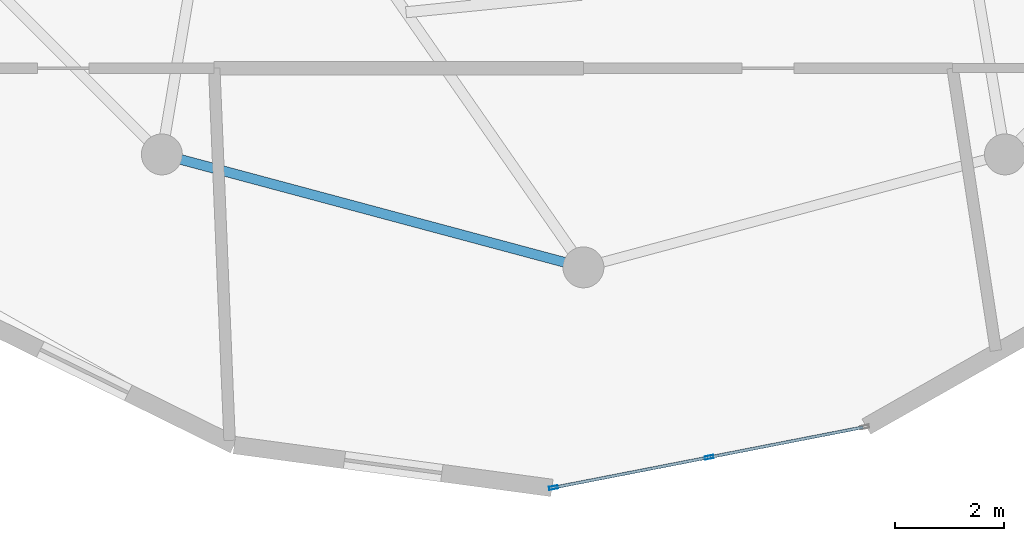
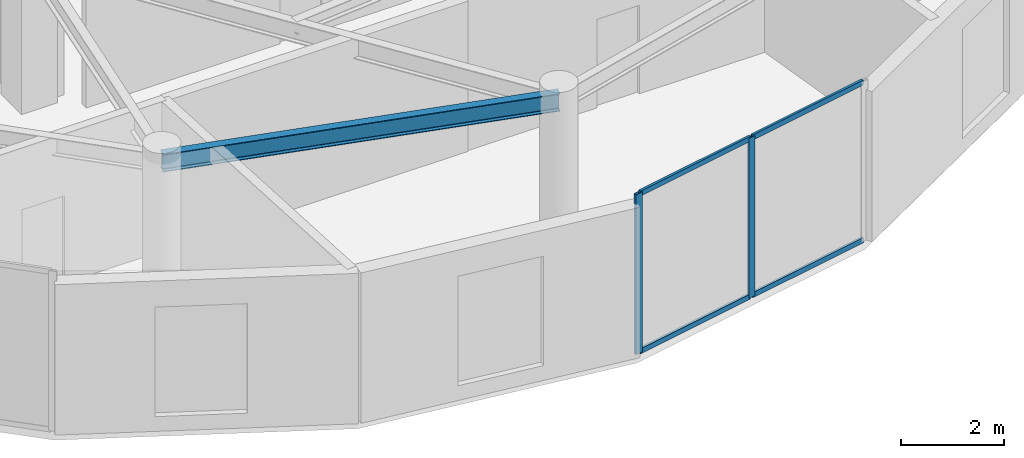
# One storey, part 4 of 18: 6 members, 1 beam, 1 element without a shape of its own.
"""IFC4 building model written with IfcOpenShell, lengths in metres."""

from ifc_helpers import new_model, si_unit, direction, frame, origin, origin_2d, place, context, subcontext, project, spatial, hollow_rectangle, i_section, extrude, source, transform, mapped, material, layer, layer_set, material_profile, profile_set, type_object, element, aggregate, save


model = new_model("IFC4")

# Units and contexts
model_context = context("Model", 3, precision=1e-05, world=origin(), true_north=direction((0.0, 1.0)))
body_context = subcontext(model_context, "Body", "Model", "MODEL_VIEW")
ifc_project = project(units=[si_unit("LENGTHUNIT", "METRE"), si_unit("AREAUNIT", "SQUARE_METRE"), si_unit("VOLUMEUNIT", "CUBIC_METRE"), si_unit("PLANEANGLEUNIT", "RADIAN"), si_unit("MASSUNIT", "GRAM", prefix="KILO")], contexts=[model_context])

# Site, building, storey
site_placement = place(None, origin())
site = spatial("IfcSite", under=ifc_project, at=site_placement, CompositionType="ELEMENT")
building_placement = place(site_placement, origin())
building = spatial("IfcBuilding", under=site, at=building_placement, Name="Solvirekh Grand Hotel", CompositionType="ELEMENT")
storey_placement = place(building_placement, frame((0.0, 0.0, 274.39990234375)))
storey = spatial("IfcBuildingStorey", under=building, at=storey_placement, Name="L71", CompositionType="ELEMENT", Elevation=274.39990234375)

# Beam
ifc_material_1 = material(Name="Steel S355", Category="steel")
ifc_material_profile_1 = material_profile(ifc_material_1, i_section(OverallWidth=0.180908203125, OverallDepth=0.4169921875, WebThickness=0.010009765625, FlangeThickness=0.01611328125, FilletRadius=0.011962890625, at=origin_2d()), Name="W410X85")
ifc_profile_set_1 = profile_set([ifc_material_profile_1], Name="Steel S355")
beam_type = type_object("IfcBeamType", Name="Spandrel_Ring_W410", PredefinedType="SPANDREL", material=ifc_profile_set_1)
beam_placement = place(storey_placement, frame((-7.72509765625, -13.3798828125, 3.362060546875), z_axis=(0.965921616143, -0.258834757072, 0.0), x_axis=(0.258834757072, 0.965921616143, 0.0)))
element("IfcBeam", 1, at=beam_placement, inside=storey, type_object=beam_type, Name="L71 perimeter spandrel beam 9", PredefinedType="SPANDREL", context=body_context, shape_type="SweptSolid", body=[
    extrude(i_section(OverallWidth=0.180908203125, OverallDepth=0.4169921875, WebThickness=0.010009765625, FlangeThickness=0.01611328125, FilletRadius=0.011962890625, at=origin_2d()), origin(), (0.0, 0.0, 1.0), 7.99755859375),
])

# Curtain wall, members
ifc_material_2 = material(Name="Anodized Bronze Aluminium 6063-T6", Category="aluminium")
ifc_layer = layer(ifc_material_2, 0.159912109375)
ifc_layer_set = layer_set([ifc_layer], Name="Anodized Bronze Aluminium 6063-T6")
curtain_wall_type = type_object("IfcCurtainWallType", Name="CW_Sys4_HighZoneFlushBronzeCW", PredefinedType="NOTDEFINED", material=ifc_layer_set)
curtain_wall_placement = place(storey_placement, origin())
curtain_wall = element("IfcCurtainWall", 2, at=curtain_wall_placement, inside=storey, type_object=curtain_wall_type, Name="L71 unitised bronze-glass curtain wall CW-L71-C01", PredefinedType="NOTDEFINED")
ifc_material_profile_2 = material_profile(ifc_material_2, hollow_rectangle(XDim=0.06005859375, YDim=0.159912109375, WallThickness=0.0048828125, at=origin_2d()), Name="ALU RHS 160X60X5")
ifc_profile_set_2 = profile_set([ifc_material_profile_2], Name="Anodized Bronze Aluminium 6063-T6")
member_type_1 = type_object("IfcMemberType", Name="CWMullion_Sys4", PredefinedType="MULLION", material=ifc_profile_set_2)
shared_shape_1 = source(origin(), body_context, "Body", "SweptSolid", [
    extrude(hollow_rectangle(XDim=0.06005859375, YDim=0.159912109375, WallThickness=0.0048828125, at=origin_2d()), origin(), (0.0, 0.0, 1.0), 3.800048828125),
])
member_1_placement = place(storey_placement, frame((-0.548583984375, -19.486328125, 0.0), z_axis=(0.0, 0.0, 1.0), x_axis=(-0.191430326936, 0.981506204733, 0.0)))
member_1 = element("IfcMember", 3, at=member_1_placement, type_object=member_type_1, Name="U04 mullion 1", PredefinedType="MULLION", context=body_context, shape_type="MappedRepresentation", body=[
    mapped(shared_shape_1, transform((0.0, 0.0, 0.0), x_axis=(1.0, 0.0, 0.0), y_axis=(0.0, 1.0, 0.0), z_axis=(0.0, 0.0, 1.0), scale=1.0)),
])
member_2_placement = place(storey_placement, frame((2.303466796875, -18.929931640625, 0.0), z_axis=(0.0, 0.0, 1.0), x_axis=(-0.191430326936, 0.981506204733, 0.0)))
member_2 = element("IfcMember", 4, at=member_2_placement, type_object=member_type_1, Name="U04 mullion 2", PredefinedType="MULLION", context=body_context, shape_type="MappedRepresentation", body=[
    mapped(shared_shape_1, transform((0.0, 0.0, 0.0), x_axis=(1.0, 0.0, 0.0), y_axis=(0.0, 1.0, 0.0), z_axis=(0.0, 0.0, 1.0), scale=1.0)),
])
ifc_material_profile_3 = material_profile(ifc_material_2, hollow_rectangle(XDim=0.054931640625, YDim=0.1201171875, WallThickness=0.00390625, at=origin_2d()), Name="ALU RHS 120X55X4")
ifc_profile_set_3 = profile_set([ifc_material_profile_3], Name="Anodized Bronze Aluminium 6063-T6")
member_type_2 = type_object("IfcMemberType", Name="CWTransom_Sys4", PredefinedType="USERDEFINED", material=ifc_profile_set_3)
shared_shape_2 = source(origin(), body_context, "Body", "SweptSolid", [
    extrude(hollow_rectangle(XDim=0.054931640625, YDim=0.1201171875, WallThickness=0.00390625, at=origin_2d()), origin(), (0.0, 0.0, 1.0), 2.845947265625),
])
member_3_placement = place(storey_placement, frame((2.3330078125, -18.92431640625, 0.027587890625), z_axis=(0.981496884231, 0.191478109047, 0.0), x_axis=(-0.191478109047, 0.981496884231, 0.0)))
member_3 = element("IfcMember", 5, at=member_3_placement, type_object=member_type_2, Name="U04 transom 2.1", ObjectType="TRANSOM", PredefinedType="USERDEFINED", context=body_context, shape_type="MappedRepresentation", body=[
    mapped(shared_shape_2, transform((0.0, 0.0, 0.0), x_axis=(1.0, 0.0, 0.0), y_axis=(0.0, 1.0, 0.0), z_axis=(0.0, 0.0, 1.0), scale=1.0)),
])
member_4_placement = place(storey_placement, frame((2.3330078125, -18.92431640625, 3.772705078125), z_axis=(0.981496884231, 0.191478109047, 0.0), x_axis=(-0.191478109047, 0.981496884231, 0.0)))
member_4 = element("IfcMember", 6, at=member_4_placement, type_object=member_type_2, Name="U04 transom 2.2", ObjectType="TRANSOM", PredefinedType="USERDEFINED", context=body_context, shape_type="MappedRepresentation", body=[
    mapped(shared_shape_2, transform((0.0, 0.0, 0.0), x_axis=(1.0, 0.0, 0.0), y_axis=(0.0, 1.0, 0.0), z_axis=(0.0, 0.0, 1.0), scale=1.0)),
])
shared_shape_3 = source(origin(), body_context, "Body", "SweptSolid", [
    extrude(hollow_rectangle(XDim=0.054931640625, YDim=0.1201171875, WallThickness=0.00390625, at=origin_2d()), origin(), (0.0, 0.0, 1.0), 2.845703125),
])
member_5_placement = place(storey_placement, frame((-0.51904296875, -19.48046875, 0.027587890625), z_axis=(0.981513003539, 0.191395464636, 0.0), x_axis=(-0.191395464636, 0.981513003539, 0.0)))
member_5 = element("IfcMember", 7, at=member_5_placement, type_object=member_type_2, Name="U04 transom 1.1", ObjectType="TRANSOM", PredefinedType="USERDEFINED", context=body_context, shape_type="MappedRepresentation", body=[
    mapped(shared_shape_3, transform((0.0, 0.0, 0.0), x_axis=(1.0, 0.0, 0.0), y_axis=(0.0, 1.0, 0.0), z_axis=(0.0, 0.0, 1.0), scale=1.0)),
])
member_6_placement = place(storey_placement, frame((-0.51904296875, -19.48046875, 3.772705078125), z_axis=(0.981513003539, 0.191395464636, 0.0), x_axis=(-0.191395464636, 0.981513003539, 0.0)))
member_6 = element("IfcMember", 8, at=member_6_placement, type_object=member_type_2, Name="U04 transom 1.2", ObjectType="TRANSOM", PredefinedType="USERDEFINED", context=body_context, shape_type="MappedRepresentation", body=[
    mapped(shared_shape_3, transform((0.0, 0.0, 0.0), x_axis=(1.0, 0.0, 0.0), y_axis=(0.0, 1.0, 0.0), z_axis=(0.0, 0.0, 1.0), scale=1.0)),
])
aggregate(curtain_wall, [member_1, member_2, member_5, member_6, member_3, member_4])

save(model, "model.ifc")
